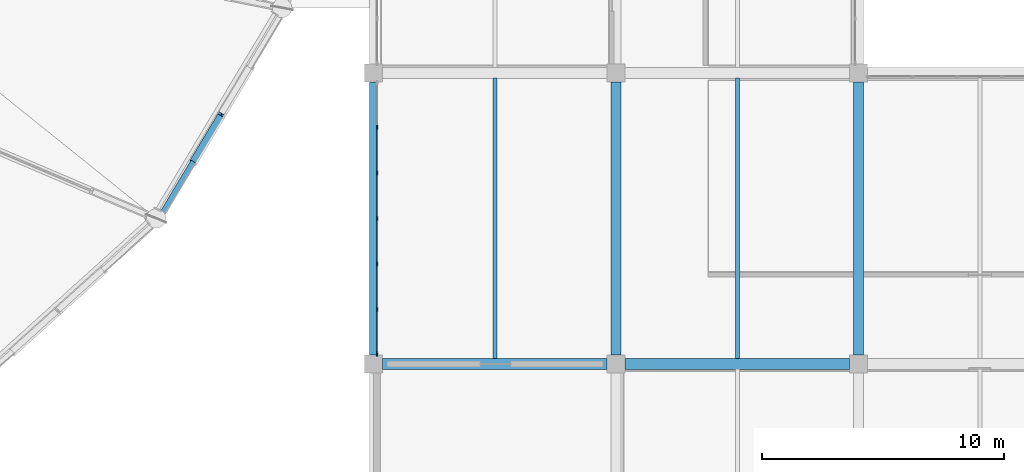
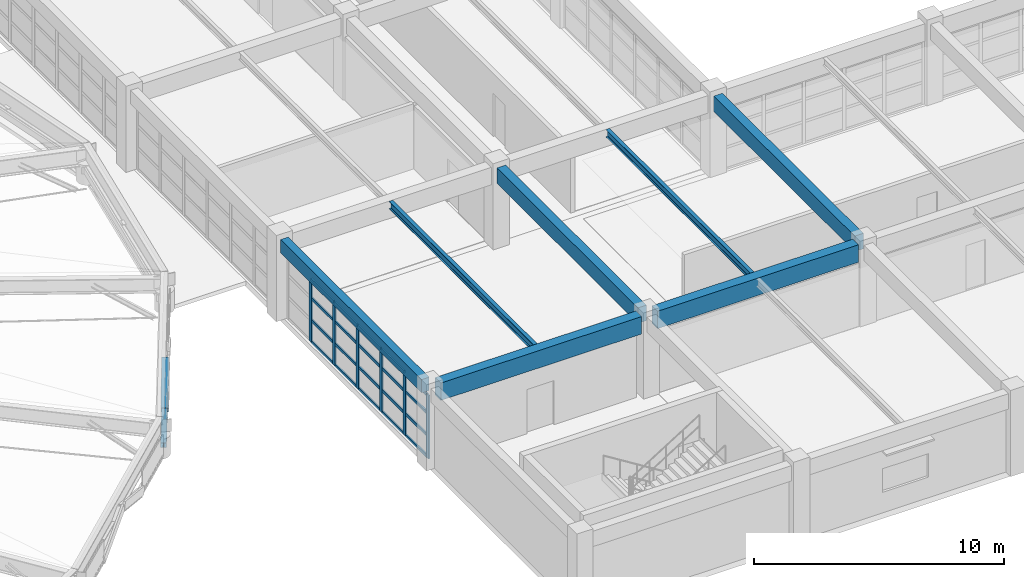
# One storey, part 8 of 83: 26 members, 9 beams, 1 element without a shape of its own.
"""IFC4 building model written with IfcOpenShell, lengths in metres."""

from ifc_helpers import new_model, si_unit, direction, frame, origin, origin_2d, place, context, subcontext, project, spatial, rectangle, i_section, extrude, material, layer, layer_set, material_profile, profile_set, type_object, element, aggregate, save


model = new_model("IFC4")

# Units and contexts
model_context = context("Model", 3, precision=1e-05, world=origin(), true_north=direction((0.0, 1.0)))
body_context = subcontext(model_context, "Body", "Model", "MODEL_VIEW")
ifc_project = project(units=[si_unit("LENGTHUNIT", "METRE"), si_unit("AREAUNIT", "SQUARE_METRE"), si_unit("VOLUMEUNIT", "CUBIC_METRE"), si_unit("PLANEANGLEUNIT", "RADIAN"), si_unit("MASSUNIT", "GRAM", prefix="KILO")], contexts=[model_context])

# Site, building, storey
site_placement = place(None, origin())
site = spatial("IfcSite", under=ifc_project, at=site_placement, CompositionType="ELEMENT")
building_placement = place(site_placement, origin())
building = spatial("IfcBuilding", under=site, at=building_placement, Name="Kivolera Central Railway Station", CompositionType="ELEMENT")
storey_placement = place(building_placement, frame((0.0, 0.0, 14.39990234375)))
storey = spatial("IfcBuildingStorey", under=building, at=storey_placement, Name="L03", CompositionType="ELEMENT", Elevation=14.39990234375)

# Beams
ifc_material_1 = material(Name="Steel S355", Category="steel")
ifc_material_profile_1 = material_profile(ifc_material_1, i_section(OverallWidth=0.169921875, OverallDepth=0.360107421875, WebThickness=0.008056640625, FlangeThickness=0.0126953125, FilletRadius=0.01806640625, at=origin_2d()), Name="IPE 360")
ifc_profile_set_1 = profile_set([ifc_material_profile_1], Name="Steel S355")
beam_type_1 = type_object("IfcBeamType", Name="BM-JST-IPE360", PredefinedType="JOIST", material=ifc_profile_set_1)
for number, where, z_axis, x_axis, name in (
    (1, (123.0, 66.217041015625, 3.748046875), (0.0, 1.0, 0.0), (-1.0, 0.0, 0.0), "L03 Floor Joist 12-13/F-G"),
    (2, (133.0, 66.217041015625, 3.748046875), (0.0, 1.0, 0.0), (-1.0, 0.0, 0.0), "L03 Floor Joist 13-14/F-G"),
):
    element("IfcBeam", number, at=place(storey_placement, frame(where, z_axis=z_axis, x_axis=x_axis)), inside=storey, type_object=beam_type_1, Name=name, PredefinedType="JOIST", context=body_context, shape_type="SweptSolid", body=[
        extrude(i_section(OverallWidth=0.169921875, OverallDepth=0.360107421875, WebThickness=0.008056640625, FlangeThickness=0.0126953125, FilletRadius=0.01806640625, at=origin_2d()), origin(), (0.0, 0.0, 1.0), 11.56591796875),
    ])
ifc_material_profile_2 = material_profile(ifc_material_1, i_section(OverallWidth=0.300048828125, OverallDepth=0.300048828125, WebThickness=0.010986328125, FlangeThickness=0.01904296875, FilletRadius=0.027099609375, at=origin_2d()), Name="HEB 300")
ifc_profile_set_2 = profile_set([ifc_material_profile_2], Name="Steel S355")
beam_type_2 = type_object("IfcBeamType", Name="BM-LANT-ARCH", PredefinedType="SPANDREL", material=ifc_profile_set_2)
beam_1_placement = place(storey_placement, frame((110.573974609375, 74.342041015625, 0.16015625), z_axis=(0.476772627919, 0.797265877485, 0.370209375713), x_axis=(-0.85824565616, 0.513239119399, 0.0)))
element("IfcBeam", 3, at=beam_1_placement, inside=storey, type_object=beam_type_2, Name="Oval Lantern Structural Arch Rib 23.3", PredefinedType="SPANDREL", context=body_context, shape_type="SweptSolid", body=[
    extrude(i_section(OverallWidth=0.300048828125, OverallDepth=0.300048828125, WebThickness=0.010986328125, FlangeThickness=0.01904296875, FilletRadius=0.027099609375, at=origin_2d()), origin(), (0.0, 0.0, 1.0), 2.430908203125),
])
ifc_material_profile_3 = material_profile(ifc_material_1, i_section(OverallWidth=0.239990234375, OverallDepth=0.22998046875, WebThickness=0.007568359375, FlangeThickness=0.011962890625, FilletRadius=0.02099609375, at=origin_2d()), Name="HEA 240")
ifc_profile_set_3 = profile_set([ifc_material_profile_3], Name="Steel S355")
beam_type_3 = type_object("IfcBeamType", Name="BM-LANT-HTIE", PredefinedType="SPANDREL", material=ifc_profile_set_3)
beam_2_placement = place(storey_placement, frame((109.318115234375, 72.242919921875, 0.16015625), z_axis=(0.51340920348, 0.858143921369, 0.0), x_axis=(-0.858143921369, 0.51340920348, 0.0)))
element("IfcBeam", 4, at=beam_2_placement, inside=storey, type_object=beam_type_3, Name="Lantern Arch Spandrel Haunch Tie 23L", PredefinedType="SPANDREL", context=body_context, shape_type="SweptSolid", body=[
    extrude(i_section(OverallWidth=0.239990234375, OverallDepth=0.22998046875, WebThickness=0.007568359375, FlangeThickness=0.011962890625, FilletRadius=0.02099609375, at=origin_2d()), origin(), (0.0, 0.0, 1.0), 2.446044921875),
])
ifc_material_2 = material(Name="Concrete C40/50", Category="concrete")
ifc_material_profile_4 = material_profile(ifc_material_2, rectangle(XDim=0.39990234375, YDim=0.75, at=origin_2d()), Name="RC 400x750")
ifc_profile_set_4 = profile_set([ifc_material_profile_4], Name="Concrete C40/50")
beam_type_4 = type_object("IfcBeamType", Name="BM-RC-400x750", PredefinedType="BEAM", material=ifc_profile_set_4)
for number, where, z_axis, x_axis, name in (
    (5, (128.0, 66.366943359375, 3.565185546875), (0.0, 1.0, 0.0), (-1.0, 0.0, 0.0), "L03 Wing Y-Beam 13:F-G"),
    (6, (138.0, 66.366943359375, 3.565185546875), (0.0, 1.0, 0.0), (-1.0, 0.0, 0.0), "L03 Wing Y-Beam 14:F-G"),
):
    element("IfcBeam", number, at=place(storey_placement, frame(where, z_axis=z_axis, x_axis=x_axis)), inside=storey, type_object=beam_type_4, Name=name, PredefinedType="BEAM", context=body_context, shape_type="SweptSolid", body=[
        extrude(rectangle(XDim=0.39990234375, YDim=0.75, at=origin_2d()), origin(), (0.0, 0.0, 1.0), 11.26611328125),
    ])
ifc_material_profile_5 = material_profile(ifc_material_2, rectangle(XDim=0.449951171875, YDim=0.85009765625, at=origin_2d()), Name="RC 450x850")
ifc_profile_set_5 = profile_set([ifc_material_profile_5], Name="Concrete C40/50")
beam_type_5 = type_object("IfcBeamType", Name="BM-RC-450x850", PredefinedType="BEAM", material=ifc_profile_set_5)
for number, where, z_axis, x_axis, name in (
    (7, (118.366943359375, 66.0, 3.51513671875), (1.0, 0.0, 0.0), (0.0, 1.0, 0.0), "L03 Wing X-Beam F:12-13"),
    (8, (128.366943359375, 66.0, 3.51513671875), (1.0, 0.0, 0.0), (0.0, 1.0, 0.0), "L03 Wing X-Beam F:13-14"),
):
    element("IfcBeam", number, at=place(storey_placement, frame(where, z_axis=z_axis, x_axis=x_axis)), inside=storey, type_object=beam_type_5, Name=name, PredefinedType="BEAM", context=body_context, shape_type="SweptSolid", body=[
        extrude(rectangle(XDim=0.449951171875, YDim=0.85009765625, at=origin_2d()), origin(), (0.0, 0.0, 1.0), 9.26611328125),
    ])
ifc_material_profile_6 = material_profile(ifc_material_2, rectangle(XDim=0.35009765625, YDim=0.64990234375, at=origin_2d()), Name="RC 350x650")
ifc_profile_set_6 = profile_set([ifc_material_profile_6], Name="Concrete C40/50")
beam_type_6 = type_object("IfcBeamType", Name="BM-SPN-RC650", PredefinedType="SPANDREL", material=ifc_profile_set_6)
beam_3_placement = place(storey_placement, frame((118.0, 66.366943359375, 3.614990234375), z_axis=(0.0, 1.0, 0.0), x_axis=(-1.0, 0.0, 0.0)))
element("IfcBeam", 9, at=beam_3_placement, inside=storey, type_object=beam_type_6, Name="L03 Wing Y-Beam 12:F-G", PredefinedType="SPANDREL", context=body_context, shape_type="SweptSolid", body=[
    extrude(rectangle(XDim=0.35009765625, YDim=0.64990234375, at=origin_2d()), origin(), (0.0, 0.0, 1.0), 11.26611328125),
])

# Curtain wall, members
ifc_material_3 = material(Name="Anodised aluminium", Category="aluminium")
ifc_layer = layer(ifc_material_3, 0.179931640625, Name="Anodised aluminium")
ifc_layer_set = layer_set([ifc_layer], Name="Anodised aluminium")
curtain_wall_type = type_object("IfcCurtainWallType", Name="CW-SYS-30", PredefinedType="NOTDEFINED", material=ifc_layer_set)
curtain_wall_placement = place(storey_placement, origin())
curtain_wall = element("IfcCurtainWall", 10, at=curtain_wall_placement, inside=storey, type_object=curtain_wall_type, Name="L03 Curtain Wall CW-L03-WEST-F", PredefinedType="NOTDEFINED")
ifc_material_profile_7 = material_profile(ifc_material_3, rectangle(XDim=0.070068359375, YDim=0.179931640625, at=origin_2d()), Name="ALU MULL 70x180")
ifc_profile_set_7 = profile_set([ifc_material_profile_7], Name="Anodised aluminium")
member_type_1 = type_object("IfcMemberType", Name="CWM-MUL-1", PredefinedType="MULLION", material=ifc_profile_set_7)
member_1_placement = place(storey_placement, frame((118.14501953125, 66.405029296875, -0.0048828125), z_axis=(0.0, 0.0, 1.0), x_axis=(-1.0, 0.0, 0.0)))
member_1 = element("IfcMember", 11, at=member_1_placement, type_object=member_type_1, Name="CW-30 mullion 1", PredefinedType="MULLION", context=body_context, shape_type="SweptSolid", body=[
    extrude(rectangle(XDim=0.070068359375, YDim=0.179931640625, at=origin_2d()), origin(), (0.0, 0.0, 1.0), 3.0830078125),
])
member_2_placement = place(storey_placement, frame((118.14501953125, 68.24658203125, -0.0048828125), z_axis=(0.0, 0.0, 1.0), x_axis=(-1.0, 0.0, 0.0)))
member_2 = element("IfcMember", 12, at=member_2_placement, type_object=member_type_1, Name="CW-30 mullion 2", PredefinedType="MULLION", context=body_context, shape_type="SweptSolid", body=[
    extrude(rectangle(XDim=0.070068359375, YDim=0.179931640625, at=origin_2d()), origin(), (0.0, 0.0, 1.0), 3.0830078125),
])
member_3_placement = place(storey_placement, frame((118.14501953125, 70.123291015625, -0.0048828125), z_axis=(0.0, 0.0, 1.0), x_axis=(-1.0, 0.0, 0.0)))
member_3 = element("IfcMember", 13, at=member_3_placement, type_object=member_type_1, Name="CW-30 mullion 3", PredefinedType="MULLION", context=body_context, shape_type="SweptSolid", body=[
    extrude(rectangle(XDim=0.070068359375, YDim=0.179931640625, at=origin_2d()), origin(), (0.0, 0.0, 1.0), 3.0830078125),
])
member_4_placement = place(storey_placement, frame((118.14501953125, 72.0, -0.0048828125), z_axis=(0.0, 0.0, 1.0), x_axis=(-1.0, 0.0, 0.0)))
member_4 = element("IfcMember", 14, at=member_4_placement, type_object=member_type_1, Name="CW-30 mullion 4", PredefinedType="MULLION", context=body_context, shape_type="SweptSolid", body=[
    extrude(rectangle(XDim=0.070068359375, YDim=0.179931640625, at=origin_2d()), origin(), (0.0, 0.0, 1.0), 3.0830078125),
])
member_5_placement = place(storey_placement, frame((118.14501953125, 73.876708984375, -0.0048828125), z_axis=(0.0, 0.0, 1.0), x_axis=(-1.0, 0.0, 0.0)))
member_5 = element("IfcMember", 15, at=member_5_placement, type_object=member_type_1, Name="CW-30 mullion 5", PredefinedType="MULLION", context=body_context, shape_type="SweptSolid", body=[
    extrude(rectangle(XDim=0.070068359375, YDim=0.179931640625, at=origin_2d()), origin(), (0.0, 0.0, 1.0), 3.0830078125),
])
member_6_placement = place(storey_placement, frame((118.14501953125, 75.75341796875, -0.0048828125), z_axis=(0.0, 0.0, 1.0), x_axis=(-1.0, 0.0, 0.0)))
member_6 = element("IfcMember", 16, at=member_6_placement, type_object=member_type_1, Name="CW-30 mullion 6", PredefinedType="MULLION", context=body_context, shape_type="SweptSolid", body=[
    extrude(rectangle(XDim=0.070068359375, YDim=0.179931640625, at=origin_2d()), origin(), (0.0, 0.0, 1.0), 3.0830078125),
])
ifc_material_profile_8 = material_profile(ifc_material_3, rectangle(XDim=0.070068359375, YDim=0.139892578125, at=origin_2d()), Name="ALU TRAN 70x140")
ifc_profile_set_8 = profile_set([ifc_material_profile_8], Name="Anodised aluminium")
member_type_2 = type_object("IfcMemberType", Name="CWM-TRN-1", PredefinedType="USERDEFINED", material=ifc_profile_set_8)
member_7_placement = place(storey_placement, frame((118.14501953125, 66.43994140625, 0.03515625), z_axis=(0.0, 1.0, 0.0), x_axis=(-1.0, 0.0, 0.0)))
member_7 = element("IfcMember", 17, at=member_7_placement, type_object=member_type_2, Name="CW-30 transom 1.1", ObjectType="TRANSOM", PredefinedType="USERDEFINED", context=body_context, shape_type="SweptSolid", body=[
    extrude(rectangle(XDim=0.070068359375, YDim=0.139892578125, at=origin_2d()), origin(), (0.0, 0.0, 1.0), 1.771728515625),
])
member_8_placement = place(storey_placement, frame((118.14501953125, 66.43994140625, 1.077392578125), z_axis=(0.0, 1.0, 0.0), x_axis=(-1.0, 0.0, 0.0)))
member_8 = element("IfcMember", 18, at=member_8_placement, type_object=member_type_2, Name="CW-30 transom 1.2", ObjectType="TRANSOM", PredefinedType="USERDEFINED", context=body_context, shape_type="SweptSolid", body=[
    extrude(rectangle(XDim=0.070068359375, YDim=0.139892578125, at=origin_2d()), origin(), (0.0, 0.0, 1.0), 1.771728515625),
])
member_9_placement = place(storey_placement, frame((118.14501953125, 66.43994140625, 2.15478515625), z_axis=(0.0, 1.0, 0.0), x_axis=(-1.0, 0.0, 0.0)))
member_9 = element("IfcMember", 19, at=member_9_placement, type_object=member_type_2, Name="CW-30 transom 1.3", ObjectType="TRANSOM", PredefinedType="USERDEFINED", context=body_context, shape_type="SweptSolid", body=[
    extrude(rectangle(XDim=0.070068359375, YDim=0.139892578125, at=origin_2d()), origin(), (0.0, 0.0, 1.0), 1.771728515625),
])
member_10_placement = place(storey_placement, frame((118.14501953125, 66.43994140625, 3.043212890625), z_axis=(0.0, 1.0, 0.0), x_axis=(-1.0, 0.0, 0.0)))
member_10 = element("IfcMember", 20, at=member_10_placement, type_object=member_type_2, Name="CW-30 transom 1.4", ObjectType="TRANSOM", PredefinedType="USERDEFINED", context=body_context, shape_type="SweptSolid", body=[
    extrude(rectangle(XDim=0.070068359375, YDim=0.139892578125, at=origin_2d()), origin(), (0.0, 0.0, 1.0), 1.771728515625),
])
member_11_placement = place(storey_placement, frame((118.14501953125, 68.28173828125, 0.03515625), z_axis=(0.0, 1.0, 0.0), x_axis=(-1.0, 0.0, 0.0)))
member_11 = element("IfcMember", 21, at=member_11_placement, type_object=member_type_2, Name="CW-30 transom 2.1", ObjectType="TRANSOM", PredefinedType="USERDEFINED", context=body_context, shape_type="SweptSolid", body=[
    extrude(rectangle(XDim=0.070068359375, YDim=0.139892578125, at=origin_2d()), origin(), (0.0, 0.0, 1.0), 1.806640625),
])
member_12_placement = place(storey_placement, frame((118.14501953125, 68.28173828125, 1.077392578125), z_axis=(0.0, 1.0, 0.0), x_axis=(-1.0, 0.0, 0.0)))
member_12 = element("IfcMember", 22, at=member_12_placement, type_object=member_type_2, Name="CW-30 transom 2.2", ObjectType="TRANSOM", PredefinedType="USERDEFINED", context=body_context, shape_type="SweptSolid", body=[
    extrude(rectangle(XDim=0.070068359375, YDim=0.139892578125, at=origin_2d()), origin(), (0.0, 0.0, 1.0), 1.806640625),
])
member_13_placement = place(storey_placement, frame((118.14501953125, 68.28173828125, 2.15478515625), z_axis=(0.0, 1.0, 0.0), x_axis=(-1.0, 0.0, 0.0)))
member_13 = element("IfcMember", 23, at=member_13_placement, type_object=member_type_2, Name="CW-30 transom 2.3", ObjectType="TRANSOM", PredefinedType="USERDEFINED", context=body_context, shape_type="SweptSolid", body=[
    extrude(rectangle(XDim=0.070068359375, YDim=0.139892578125, at=origin_2d()), origin(), (0.0, 0.0, 1.0), 1.806640625),
])
member_14_placement = place(storey_placement, frame((118.14501953125, 68.28173828125, 3.043212890625), z_axis=(0.0, 1.0, 0.0), x_axis=(-1.0, 0.0, 0.0)))
member_14 = element("IfcMember", 24, at=member_14_placement, type_object=member_type_2, Name="CW-30 transom 2.4", ObjectType="TRANSOM", PredefinedType="USERDEFINED", context=body_context, shape_type="SweptSolid", body=[
    extrude(rectangle(XDim=0.070068359375, YDim=0.139892578125, at=origin_2d()), origin(), (0.0, 0.0, 1.0), 1.806640625),
])
member_15_placement = place(storey_placement, frame((118.14501953125, 70.158447265625, 0.03515625), z_axis=(0.0, 1.0, 0.0), x_axis=(-1.0, 0.0, 0.0)))
member_15 = element("IfcMember", 25, at=member_15_placement, type_object=member_type_2, Name="CW-30 transom 3.1", ObjectType="TRANSOM", PredefinedType="USERDEFINED", context=body_context, shape_type="SweptSolid", body=[
    extrude(rectangle(XDim=0.070068359375, YDim=0.139892578125, at=origin_2d()), origin(), (0.0, 0.0, 1.0), 1.806640625),
])
member_16_placement = place(storey_placement, frame((118.14501953125, 70.158447265625, 1.077392578125), z_axis=(0.0, 1.0, 0.0), x_axis=(-1.0, 0.0, 0.0)))
member_16 = element("IfcMember", 26, at=member_16_placement, type_object=member_type_2, Name="CW-30 transom 3.2", ObjectType="TRANSOM", PredefinedType="USERDEFINED", context=body_context, shape_type="SweptSolid", body=[
    extrude(rectangle(XDim=0.070068359375, YDim=0.139892578125, at=origin_2d()), origin(), (0.0, 0.0, 1.0), 1.806640625),
])
member_17_placement = place(storey_placement, frame((118.14501953125, 70.158447265625, 2.15478515625), z_axis=(0.0, 1.0, 0.0), x_axis=(-1.0, 0.0, 0.0)))
member_17 = element("IfcMember", 27, at=member_17_placement, type_object=member_type_2, Name="CW-30 transom 3.3", ObjectType="TRANSOM", PredefinedType="USERDEFINED", context=body_context, shape_type="SweptSolid", body=[
    extrude(rectangle(XDim=0.070068359375, YDim=0.139892578125, at=origin_2d()), origin(), (0.0, 0.0, 1.0), 1.806640625),
])
member_18_placement = place(storey_placement, frame((118.14501953125, 70.158447265625, 3.043212890625), z_axis=(0.0, 1.0, 0.0), x_axis=(-1.0, 0.0, 0.0)))
member_18 = element("IfcMember", 28, at=member_18_placement, type_object=member_type_2, Name="CW-30 transom 3.4", ObjectType="TRANSOM", PredefinedType="USERDEFINED", context=body_context, shape_type="SweptSolid", body=[
    extrude(rectangle(XDim=0.070068359375, YDim=0.139892578125, at=origin_2d()), origin(), (0.0, 0.0, 1.0), 1.806640625),
])
member_19_placement = place(storey_placement, frame((118.14501953125, 72.034912109375, 0.03515625), z_axis=(0.0, 1.0, 0.0), x_axis=(-1.0, 0.0, 0.0)))
member_19 = element("IfcMember", 29, at=member_19_placement, type_object=member_type_2, Name="CW-30 transom 4.1", ObjectType="TRANSOM", PredefinedType="USERDEFINED", context=body_context, shape_type="SweptSolid", body=[
    extrude(rectangle(XDim=0.070068359375, YDim=0.139892578125, at=origin_2d()), origin(), (0.0, 0.0, 1.0), 1.806640625),
])
member_20_placement = place(storey_placement, frame((118.14501953125, 72.034912109375, 1.077392578125), z_axis=(0.0, 1.0, 0.0), x_axis=(-1.0, 0.0, 0.0)))
member_20 = element("IfcMember", 30, at=member_20_placement, type_object=member_type_2, Name="CW-30 transom 4.2", ObjectType="TRANSOM", PredefinedType="USERDEFINED", context=body_context, shape_type="SweptSolid", body=[
    extrude(rectangle(XDim=0.070068359375, YDim=0.139892578125, at=origin_2d()), origin(), (0.0, 0.0, 1.0), 1.806640625),
])
member_21_placement = place(storey_placement, frame((118.14501953125, 72.034912109375, 2.15478515625), z_axis=(0.0, 1.0, 0.0), x_axis=(-1.0, 0.0, 0.0)))
member_21 = element("IfcMember", 31, at=member_21_placement, type_object=member_type_2, Name="CW-30 transom 4.3", ObjectType="TRANSOM", PredefinedType="USERDEFINED", context=body_context, shape_type="SweptSolid", body=[
    extrude(rectangle(XDim=0.070068359375, YDim=0.139892578125, at=origin_2d()), origin(), (0.0, 0.0, 1.0), 1.806640625),
])
member_22_placement = place(storey_placement, frame((118.14501953125, 72.034912109375, 3.043212890625), z_axis=(0.0, 1.0, 0.0), x_axis=(-1.0, 0.0, 0.0)))
member_22 = element("IfcMember", 32, at=member_22_placement, type_object=member_type_2, Name="CW-30 transom 4.4", ObjectType="TRANSOM", PredefinedType="USERDEFINED", context=body_context, shape_type="SweptSolid", body=[
    extrude(rectangle(XDim=0.070068359375, YDim=0.139892578125, at=origin_2d()), origin(), (0.0, 0.0, 1.0), 1.806640625),
])
member_23_placement = place(storey_placement, frame((118.14501953125, 73.91162109375, 0.03515625), z_axis=(0.0, 1.0, 0.0), x_axis=(-1.0, 0.0, 0.0)))
member_23 = element("IfcMember", 33, at=member_23_placement, type_object=member_type_2, Name="CW-30 transom 5.1", ObjectType="TRANSOM", PredefinedType="USERDEFINED", context=body_context, shape_type="SweptSolid", body=[
    extrude(rectangle(XDim=0.070068359375, YDim=0.139892578125, at=origin_2d()), origin(), (0.0, 0.0, 1.0), 1.806640625),
])
member_24_placement = place(storey_placement, frame((118.14501953125, 73.91162109375, 1.077392578125), z_axis=(0.0, 1.0, 0.0), x_axis=(-1.0, 0.0, 0.0)))
member_24 = element("IfcMember", 34, at=member_24_placement, type_object=member_type_2, Name="CW-30 transom 5.2", ObjectType="TRANSOM", PredefinedType="USERDEFINED", context=body_context, shape_type="SweptSolid", body=[
    extrude(rectangle(XDim=0.070068359375, YDim=0.139892578125, at=origin_2d()), origin(), (0.0, 0.0, 1.0), 1.806640625),
])
member_25_placement = place(storey_placement, frame((118.14501953125, 73.91162109375, 2.15478515625), z_axis=(0.0, 1.0, 0.0), x_axis=(-1.0, 0.0, 0.0)))
member_25 = element("IfcMember", 35, at=member_25_placement, type_object=member_type_2, Name="CW-30 transom 5.3", ObjectType="TRANSOM", PredefinedType="USERDEFINED", context=body_context, shape_type="SweptSolid", body=[
    extrude(rectangle(XDim=0.070068359375, YDim=0.139892578125, at=origin_2d()), origin(), (0.0, 0.0, 1.0), 1.806640625),
])
member_26_placement = place(storey_placement, frame((118.14501953125, 73.91162109375, 3.043212890625), z_axis=(0.0, 1.0, 0.0), x_axis=(-1.0, 0.0, 0.0)))
member_26 = element("IfcMember", 36, at=member_26_placement, type_object=member_type_2, Name="CW-30 transom 5.4", ObjectType="TRANSOM", PredefinedType="USERDEFINED", context=body_context, shape_type="SweptSolid", body=[
    extrude(rectangle(XDim=0.070068359375, YDim=0.139892578125, at=origin_2d()), origin(), (0.0, 0.0, 1.0), 1.806640625),
])
aggregate(curtain_wall, [member_1, member_2, member_3, member_4, member_5, member_6, member_7, member_8, member_9, member_10, member_11, member_12, member_13, member_14, member_15, member_16, member_17, member_18, member_19, member_20, member_21, member_22, member_23, member_24, member_25, member_26])

save(model, "model.ifc")
